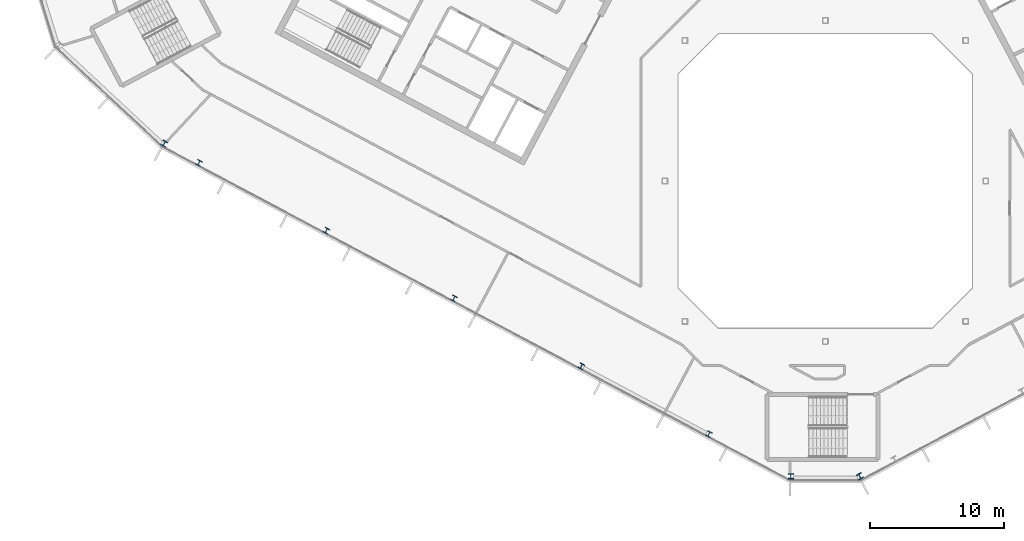
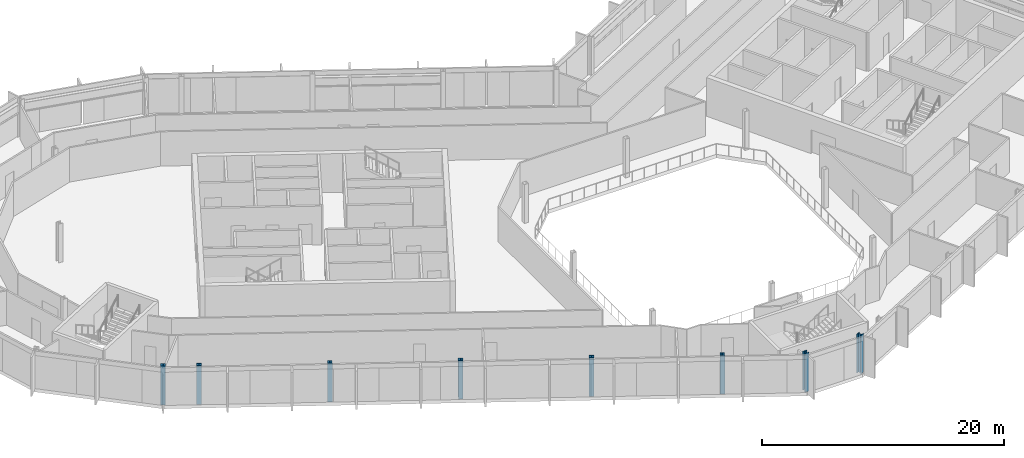
# One storey, part 1 of 26: 8 columns.
"""IFC4 building model written with IfcOpenShell, lengths in metres."""

from ifc_helpers import new_model, si_unit, direction, frame, origin, origin_2d, place, context, subcontext, project, spatial, i_section, extrude, material, material_profile, profile_set, type_object, element, save


model = new_model("IFC4")

# Units and contexts
model_context = context("Model", 3, precision=1e-05, world=origin(), true_north=direction((0.0, 1.0)))
body_context = subcontext(model_context, "Body", "Model", "MODEL_VIEW")
ifc_project = project(units=[si_unit("LENGTHUNIT", "METRE"), si_unit("AREAUNIT", "SQUARE_METRE"), si_unit("VOLUMEUNIT", "CUBIC_METRE"), si_unit("PLANEANGLEUNIT", "RADIAN"), si_unit("MASSUNIT", "GRAM", prefix="KILO")], contexts=[model_context])

# Site, building, storey
site_placement = place(None, origin())
site = spatial("IfcSite", under=ifc_project, at=site_placement, CompositionType="ELEMENT")
building_placement = place(site_placement, origin())
building = spatial("IfcBuilding", under=site, at=building_placement, Name="Cormorant Relay Tower", CompositionType="ELEMENT")
storey_placement = place(building_placement, frame((0.0, 0.0, 316.5)))
storey = spatial("IfcBuildingStorey", under=building, at=storey_placement, Name="L72", CompositionType="ELEMENT", Elevation=316.5)

# Columns
ifc_material_1 = material(Name="Steel ASTM A992 (Fy 345 MPa)", Category="steel")
ifc_material_profile_1 = material_profile(ifc_material_1, i_section(OverallWidth=0.398681640625, OverallDepth=0.385986328125, WebThickness=0.02099609375, FlangeThickness=0.033203125, FilletRadius=0.01513671875, at=origin_2d()), Name="W360x262")
ifc_profile_set_1 = profile_set([ifc_material_profile_1], Name="Steel ASTM A992 (Fy 345 MPa)")
column_type_1 = type_object("IfcColumnType", Name="Column W360x262", PredefinedType="COLUMN", material=ifc_profile_set_1)
for number, where, z_axis, x_axis, name in (
    (1, (-8.705078125, -18.928955078125, 0.0), (0.0, 0.0, 1.0), (0.882947592859, -0.469471562786, 0.0), "Column L72-004"),
    (2, (-18.240966796875, -13.85791015625, 0.0), (0.0, 0.0, 1.0), (0.882947592859, -0.469471562786, 0.0), "Column L72-006"),
    (3, (-27.777099609375, -8.7880859375, 0.0), (0.0, 0.0, 1.0), (0.882947592859, -0.469471562786, 0.0), "Column L72-011"),
    (4, (-37.31298828125, -3.718017578125, 0.0), (0.0, 0.0, 1.0), (0.882947592859, -0.469471562786, 0.0), "Column L72-013"),
    (5, (-46.84912109375, 1.35205078125, 0.0), (0.0, 0.0, 1.0), (0.882947592859, -0.469471562786, 0.0), "Column L72-017"),
):
    element("IfcColumn", number, at=place(storey_placement, frame(where, z_axis=z_axis, x_axis=x_axis)), inside=storey, type_object=column_type_1, Name=name, PredefinedType="COLUMN", context=body_context, shape_type="SweptSolid", body=[
        extrude(i_section(OverallWidth=0.398681640625, OverallDepth=0.385986328125, WebThickness=0.02099609375, FlangeThickness=0.033203125, FilletRadius=0.01513671875, at=origin_2d()), origin(), (0.0, 0.0, 1.0), 3.89990234375),
    ])
ifc_material_2 = material(Name="Steel ASTM A992 (Fy 345 MPa)", Category="steel")
ifc_material_profile_2 = material_profile(ifc_material_2, i_section(OverallWidth=0.40380859375, OverallDepth=0.406494140625, WebThickness=0.027099609375, FlangeThickness=0.043701171875, FilletRadius=0.01513671875, at=origin_2d()), Name="W360x347")
ifc_profile_set_2 = profile_set([ifc_material_profile_2], Name="Steel ASTM A992 (Fy 345 MPa)")
column_type_2 = type_object("IfcColumnType", Name="Column W360x347", PredefinedType="COLUMN", material=ifc_profile_set_2)
for number, where, z_axis, x_axis, name in (
    (6, (-2.5791015625, -22.093994140625, 0.0), (0.0, 0.0, 1.0), (1.0, 0.0, 0.0), "Column L72-001"),
    (7, (2.5791015625, -22.093994140625, 0.0), (0.0, 0.0, 1.0), (0.882947592859, 0.469471562786, 0.0), "Column L72-002"),
    (8, (-49.44091796875, 2.7958984375, 0.0), (0.0, 0.0, 1.0), (0.882947592859, -0.469471562786, 0.0), "Column L72-018"),
):
    element("IfcColumn", number, at=place(storey_placement, frame(where, z_axis=z_axis, x_axis=x_axis)), inside=storey, type_object=column_type_2, Name=name, PredefinedType="COLUMN", context=body_context, shape_type="SweptSolid", body=[
        extrude(i_section(OverallWidth=0.40380859375, OverallDepth=0.406494140625, WebThickness=0.027099609375, FlangeThickness=0.043701171875, FilletRadius=0.01513671875, at=origin_2d()), origin(), (0.0, 0.0, 1.0), 3.89990234375),
    ])

save(model, "model.ifc")
